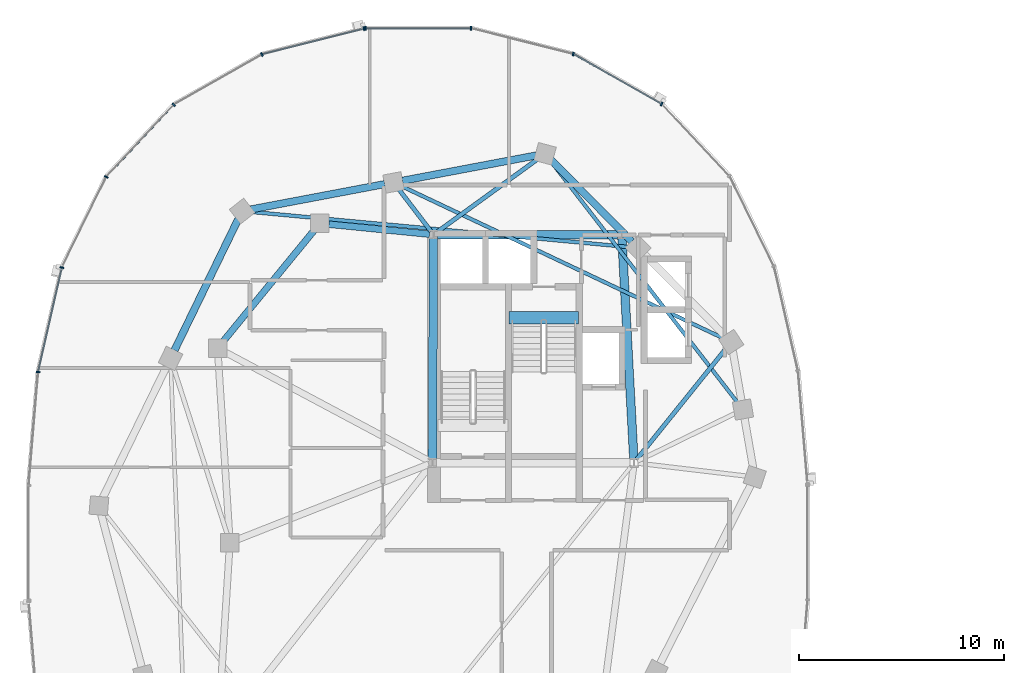
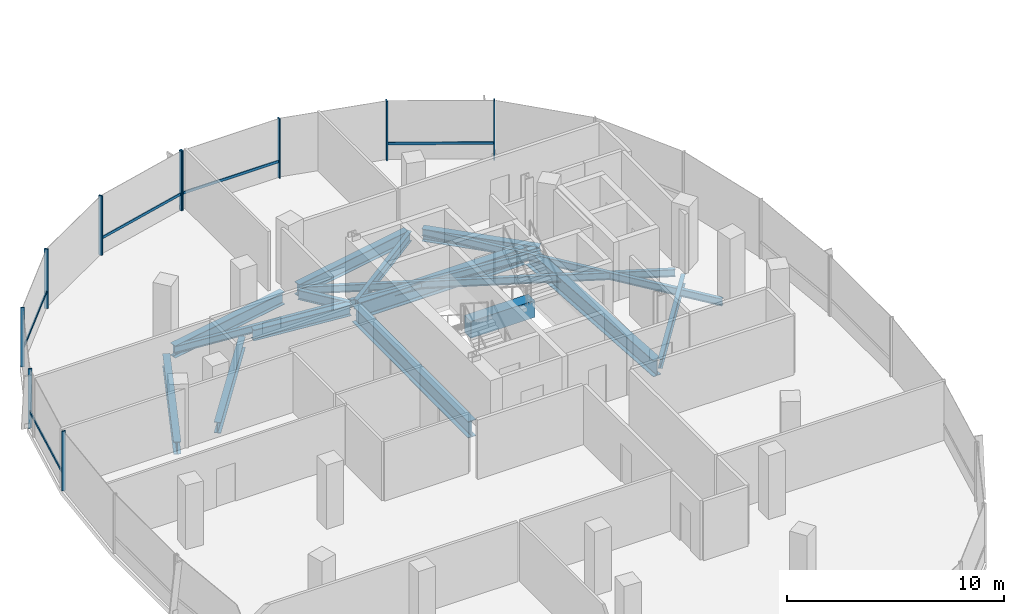
# One storey, part 6 of 25: 16 beams, 15 members, 2 elements without a shape of their own.
"""IFC4 building model written with IfcOpenShell, lengths in metres."""

from ifc_helpers import new_model, si_unit, direction, frame, origin, origin_2d, place, context, subcontext, project, spatial, rectangle, i_section, extrude, material, material_profile, profile_set, type_object, element, aggregate, save


model = new_model("IFC4")

# Units and contexts
model_context = context("Model", 3, precision=1e-05, world=origin(), true_north=direction((0.0, 1.0)))
body_context = subcontext(model_context, "Body", "Model", "MODEL_VIEW")
ifc_project = project(units=[si_unit("LENGTHUNIT", "METRE"), si_unit("AREAUNIT", "SQUARE_METRE"), si_unit("VOLUMEUNIT", "CUBIC_METRE"), si_unit("PLANEANGLEUNIT", "RADIAN"), si_unit("MASSUNIT", "GRAM", prefix="KILO"), si_unit("THERMODYNAMICTEMPERATUREUNIT", "KELVIN"), si_unit("POWERUNIT", "WATT")], contexts=[model_context])

# Site, building, storey
site_placement = place(None, origin())
site = spatial("IfcSite", under=ifc_project, at=site_placement, CompositionType="ELEMENT")
building_placement = place(site_placement, origin())
building = spatial("IfcBuilding", under=site, at=building_placement, Name="Cundina Bronze Exchange", CompositionType="ELEMENT")
storey_placement = place(building_placement, frame((0.0, 0.0, 202.60009765625)))
storey = spatial("IfcBuildingStorey", under=building, at=storey_placement, Name="L53", CompositionType="ELEMENT", Elevation=202.60009765625)

# Beams
ifc_material_1 = material(Name="Concrete C60/75", Category="concrete")
ifc_material_profile_1 = material_profile(ifc_material_1, rectangle(XDim=0.60009765625, YDim=0.949951171875, at=origin_2d()), Name="RC600X950", Category="concrete")
ifc_profile_set_1 = profile_set([ifc_material_profile_1], Name="Concrete C60/75")
beam_type_1 = type_object("IfcBeamType", Name="BM-COUP-RC950", PredefinedType="LINTEL", material=ifc_profile_set_1)
beam_1_placement = place(storey_placement, frame((-27.56005859375, 10.97998046875, -0.47509765625), z_axis=(1.0, 0.0, 0.0), x_axis=(0.0, 1.0, 0.0)))
element("IfcBeam", 1, at=beam_1_placement, inside=storey, type_object=beam_type_1, Name="L53 Stair W2 Landing Header Beam", PredefinedType="LINTEL", context=body_context, shape_type="SweptSolid", body=[
    extrude(rectangle(XDim=0.60009765625, YDim=0.949951171875, at=origin_2d()), origin(), (0.0, 0.0, 1.0), 3.400146484375),
])
ifc_material_2 = material(Name="Steel ASTM A992 Grade 50", Category="steel")
ifc_material_profile_2 = material_profile(ifc_material_2, i_section(OverallWidth=0.2119140625, OverallDepth=0.5439453125, WebThickness=0.01318359375, FlangeThickness=0.021240234375, FilletRadius=0.013916015625, at=origin_2d()), Name="W21X83", Category="steel")
ifc_profile_set_2 = profile_set([ifc_material_profile_2], Name="Steel ASTM A992 Grade 50")
beam_type_2 = type_object("IfcBeamType", Name="BM-FLR-W21A", PredefinedType="BEAM", material=ifc_profile_set_2)
beam_2_placement = place(storey_placement, frame((-21.3271484375, 4.052734375, -0.531982421875), z_axis=(0.627128630072, 0.778915708755, 0.0), x_axis=(-0.778915708755, 0.627128630072, 0.0)))
element("IfcBeam", 2, at=beam_2_placement, inside=storey, type_object=beam_type_2, Name="L53 Leg W Radial Floor Beam 02", PredefinedType="BEAM", context=body_context, shape_type="SweptSolid", body=[
    extrude(i_section(OverallWidth=0.2119140625, OverallDepth=0.5439453125, WebThickness=0.01318359375, FlangeThickness=0.021240234375, FilletRadius=0.013916015625, at=origin_2d()), origin(), (0.0, 0.0, 1.0), 6.9404296875),
])
beam_3_placement = place(storey_placement, frame((-31.09130859375, 15.1650390625, -0.531982421875), z_axis=(0.809709858543, 0.586830422677, 0.0), x_axis=(-0.586830422677, 0.809709858543, 0.0)))
element("IfcBeam", 3, at=beam_3_placement, inside=storey, type_object=beam_type_2, Name="L53 Leg W Radial Floor Beam 04", PredefinedType="BEAM", context=body_context, shape_type="SweptSolid", body=[
    extrude(i_section(OverallWidth=0.2119140625, OverallDepth=0.5439453125, WebThickness=0.01318359375, FlangeThickness=0.021240234375, FilletRadius=0.013916015625, at=origin_2d()), origin(), (0.0, 0.0, 1.0), 6.096923828125),
])
beam_4_placement = place(storey_placement, frame((-31.369140625, 15.205810546875, -0.531982421875), z_axis=(-0.60740437517, 0.794392802727, 0.0), x_axis=(-0.794392802727, -0.60740437517, 0.0)))
element("IfcBeam", 4, at=beam_4_placement, inside=storey, type_object=beam_type_2, Name="L53 Leg W Radial Floor Beam 05", PredefinedType="BEAM", context=body_context, shape_type="SweptSolid", body=[
    extrude(i_section(OverallWidth=0.2119140625, OverallDepth=0.5439453125, WebThickness=0.01318359375, FlangeThickness=0.021240234375, FilletRadius=0.013916015625, at=origin_2d()), origin(), (0.0, 0.0, 1.0), 2.575927734375),
])
ifc_material_profile_3 = material_profile(ifc_material_2, i_section(OverallWidth=0.178955078125, OverallDepth=0.409912109375, WebThickness=0.0087890625, FlangeThickness=0.014404296875, FilletRadius=0.010986328125, at=origin_2d()), Name="W16X45", Category="steel")
ifc_profile_set_3 = profile_set([ifc_material_profile_3], Name="Steel ASTM A992 Grade 50")
beam_type_3 = type_object("IfcBeamType", Name="BM-JST-W16", PredefinedType="JOIST", material=ifc_profile_set_3)
beam_5_placement = place(storey_placement, frame((-16.39306640625, 6.846435546875, -0.465087890625), z_axis=(-0.612085793291, 0.790791364174, 0.0), x_axis=(-0.790791364174, -0.612085793291, 0.0)))
element("IfcBeam", 5, at=beam_5_placement, inside=storey, type_object=beam_type_3, Name="L53 Leg W Lobe Floor Joist 01-04", PredefinedType="JOIST", context=body_context, shape_type="SweptSolid", body=[
    extrude(i_section(OverallWidth=0.178955078125, OverallDepth=0.409912109375, WebThickness=0.0087890625, FlangeThickness=0.014404296875, FilletRadius=0.010986328125, at=origin_2d()), origin(), (0.0, 0.0, 1.0), 14.9306640625),
])
beam_6_placement = place(storey_placement, frame((-17.095947265625, 9.9873046875, -0.465087890625), z_axis=(-0.904073747204, 0.427376484632, 0.0), x_axis=(-0.427376484632, -0.904073747204, 0.0)))
element("IfcBeam", 6, at=beam_6_placement, inside=storey, type_object=beam_type_3, Name="L53 Leg W Lobe Floor Joist 02-05", PredefinedType="JOIST", context=body_context, shape_type="SweptSolid", body=[
    extrude(i_section(OverallWidth=0.178955078125, OverallDepth=0.409912109375, WebThickness=0.0087890625, FlangeThickness=0.014404296875, FilletRadius=0.010986328125, at=origin_2d()), origin(), (0.0, 0.0, 1.0), 17.374755859375),
])
beam_7_placement = place(storey_placement, frame((-21.68603515625, 14.440673828125, -0.465087890625), z_axis=(-0.9957017803, 0.092617302415, 0.0), x_axis=(-0.092617302415, -0.9957017803, 0.0)))
element("IfcBeam", 7, at=beam_7_placement, inside=storey, type_object=beam_type_3, Name="L53 Leg W Lobe Floor Joist 03-06", PredefinedType="JOIST", context=body_context, shape_type="SweptSolid", body=[
    extrude(i_section(OverallWidth=0.178955078125, OverallDepth=0.409912109375, WebThickness=0.0087890625, FlangeThickness=0.014404296875, FilletRadius=0.010986328125, at=origin_2d()), origin(), (0.0, 0.0, 1.0), 18.5576171875),
])
ifc_material_profile_4 = material_profile(ifc_material_2, i_section(OverallWidth=0.324951171875, OverallDepth=0.615966796875, WebThickness=0.013916015625, FlangeThickness=0.021484375, FilletRadius=0.01611328125, at=origin_2d()), Name="W24X117", Category="steel")
ifc_profile_set_4 = profile_set([ifc_material_profile_4], Name="Steel ASTM A992 Grade 50")
beam_type_4 = type_object("IfcBeamType", Name="BM-RING-W24", PredefinedType="USERDEFINED", material=ifc_profile_set_4)
beam_8_placement = place(storey_placement, frame((-31.445068359375, 15.0693359375, -0.568115234375), z_axis=(-0.995123854478, 0.09863323096, 0.0), x_axis=(-0.09863323096, -0.995123854478, 0.0)))
element("IfcBeam", 8, at=beam_8_placement, inside=storey, type_object=beam_type_4, Name="L53 W Inner Structural Ring Girder 01", ObjectType="GIRDER", PredefinedType="USERDEFINED", context=body_context, shape_type="SweptSolid", body=[
    extrude(i_section(OverallWidth=0.324951171875, OverallDepth=0.615966796875, WebThickness=0.013916015625, FlangeThickness=0.021484375, FilletRadius=0.01611328125, at=origin_2d()), origin(), (0.0, 0.0, 1.0), 4.943115234375),
])
beam_9_placement = place(storey_placement, frame((-37.07763671875, 15.26123046875, -0.568115234375), z_axis=(-0.633912590175, -0.77340469873, 0.0), x_axis=(0.77340469873, -0.633912590175, 0.0)))
element("IfcBeam", 9, at=beam_9_placement, inside=storey, type_object=beam_type_4, Name="L53 W Inner Structural Ring Girder 02", ObjectType="GIRDER", PredefinedType="USERDEFINED", context=body_context, shape_type="SweptSolid", body=[
    extrude(i_section(OverallWidth=0.324951171875, OverallDepth=0.615966796875, WebThickness=0.013916015625, FlangeThickness=0.021484375, FilletRadius=0.01611328125, at=origin_2d()), origin(), (0.0, 0.0, 1.0), 7.01123046875),
])
ifc_material_profile_5 = material_profile(ifc_material_2, i_section(OverallWidth=0.35498046875, OverallDepth=0.695068359375, WebThickness=0.015380859375, FlangeThickness=0.02490234375, FilletRadius=0.01806640625, at=origin_2d()), Name="W27X146", Category="steel")
ifc_profile_set_5 = profile_set([ifc_material_profile_5], Name="Steel ASTM A992 Grade 50")
beam_type_5 = type_object("IfcBeamType", Name="BM-RING-W27", PredefinedType="USERDEFINED", material=ifc_profile_set_5)
beam_10_placement = place(storey_placement, frame((-21.55810546875, 14.71142578125, -0.607666015625), z_axis=(-0.703211928763, 0.710980297368, 0.0), x_axis=(-0.710980297368, -0.703211928763, 0.0)))
element("IfcBeam", 10, at=beam_10_placement, inside=storey, type_object=beam_type_5, Name="L53 W Perimeter Ring Girder 03", ObjectType="GIRDER", PredefinedType="USERDEFINED", context=body_context, shape_type="SweptSolid", body=[
    extrude(i_section(OverallWidth=0.35498046875, OverallDepth=0.695068359375, WebThickness=0.015380859375, FlangeThickness=0.02490234375, FilletRadius=0.01806640625, at=origin_2d()), origin(), (0.0, 0.0, 1.0), 5.593994140625),
])
beam_11_placement = place(storey_placement, frame((-26.23046875, 18.918701171875, -0.607666015625), z_axis=(-0.982565174657, -0.185918470175, 0.0), x_axis=(0.185918470175, -0.982565174657, 0.0)))
element("IfcBeam", 11, at=beam_11_placement, inside=storey, type_object=beam_type_5, Name="L53 W Perimeter Ring Girder 04", ObjectType="GIRDER", PredefinedType="USERDEFINED", context=body_context, shape_type="SweptSolid", body=[
    extrude(i_section(OverallWidth=0.35498046875, OverallDepth=0.695068359375, WebThickness=0.015380859375, FlangeThickness=0.02490234375, FilletRadius=0.01806640625, at=origin_2d()), origin(), (0.0, 0.0, 1.0), 6.655029296875),
])
beam_12_placement = place(storey_placement, frame((-33.63037109375, 17.5185546875, -0.607666015625), z_axis=(-0.982573143022, -0.185876353022, 0.0), x_axis=(0.185876353022, -0.982573143022, 0.0)))
element("IfcBeam", 12, at=beam_12_placement, inside=storey, type_object=beam_type_5, Name="L53 W Perimeter Ring Girder 05", ObjectType="GIRDER", PredefinedType="USERDEFINED", context=body_context, shape_type="SweptSolid", body=[
    extrude(i_section(OverallWidth=0.35498046875, OverallDepth=0.695068359375, WebThickness=0.015380859375, FlangeThickness=0.02490234375, FilletRadius=0.01806640625, at=origin_2d()), origin(), (0.0, 0.0, 1.0), 6.6552734375),
])
beam_13_placement = place(storey_placement, frame((-40.79150390625, 15.80615234375, -0.607666015625), z_axis=(-0.437173087764, -0.89937739094, 0.0), x_axis=(0.89937739094, -0.437173087764, 0.0)))
element("IfcBeam", 13, at=beam_13_placement, inside=storey, type_object=beam_type_5, Name="L53 W Perimeter Ring Girder 06", ObjectType="GIRDER", PredefinedType="USERDEFINED", context=body_context, shape_type="SweptSolid", body=[
    extrude(i_section(OverallWidth=0.35498046875, OverallDepth=0.695068359375, WebThickness=0.015380859375, FlangeThickness=0.02490234375, FilletRadius=0.01806640625, at=origin_2d()), origin(), (0.0, 0.0, 1.0), 7.1298828125),
])
ifc_material_profile_6 = material_profile(ifc_material_2, i_section(OverallWidth=0.41796875, OverallDepth=0.927001953125, WebThickness=0.019287109375, FlangeThickness=0.031982421875, FilletRadius=0.02392578125, at=origin_2d()), Name="W36X231", Category="steel")
ifc_profile_set_6 = profile_set([ifc_material_profile_6], Name="Steel ASTM A992 Grade 50")
beam_type_6 = type_object("IfcBeamType", Name="BM-WRN-W36B", PredefinedType="USERDEFINED", material=ifc_profile_set_6)
beam_14_placement = place(storey_placement, frame((-21.46044921875, 4.095703125, -0.7236328125), z_axis=(-0.053749317644, 0.998554460634, 0.0), x_axis=(-0.998554460634, -0.053749317644, 0.0)))
element("IfcBeam", 14, at=beam_14_placement, inside=storey, type_object=beam_type_6, Name="L53 W Core Perimeter Tie Girder 2", ObjectType="GIRDER", PredefinedType="USERDEFINED", context=body_context, shape_type="SweptSolid", body=[
    extrude(i_section(OverallWidth=0.41796875, OverallDepth=0.927001953125, WebThickness=0.019287109375, FlangeThickness=0.031982421875, FilletRadius=0.02392578125, at=origin_2d()), origin(), (0.0, 0.0, 1.0), 10.774169921875),
])
beam_15_placement = place(storey_placement, frame((-22.24609375, 15.050048828125, -0.7236328125), z_axis=(-1.0, 0.0, 0.0), x_axis=(0.0, -1.0, 0.0)))
element("IfcBeam", 15, at=beam_15_placement, inside=storey, type_object=beam_type_6, Name="L53 W Core Perimeter Tie Girder 3", ObjectType="GIRDER", PredefinedType="USERDEFINED", context=body_context, shape_type="SweptSolid", body=[
    extrude(i_section(OverallWidth=0.41796875, OverallDepth=0.927001953125, WebThickness=0.019287109375, FlangeThickness=0.031982421875, FilletRadius=0.02392578125, at=origin_2d()), origin(), (0.0, 0.0, 1.0), 8.807861328125),
])
beam_16_placement = place(storey_placement, frame((-31.2509765625, 14.85400390625, -0.7236328125), z_axis=(-0.004470623654, -0.999990006712, 0.0), x_axis=(0.999990006712, -0.004470623654, 0.0)))
element("IfcBeam", 16, at=beam_16_placement, inside=storey, type_object=beam_type_6, Name="L53 W Core Perimeter Tie Girder 4", ObjectType="GIRDER", PredefinedType="USERDEFINED", context=body_context, shape_type="SweptSolid", body=[
    extrude(i_section(OverallWidth=0.41796875, OverallDepth=0.927001953125, WebThickness=0.019287109375, FlangeThickness=0.031982421875, FilletRadius=0.02392578125, at=origin_2d()), origin(), (0.0, 0.0, 1.0), 10.758056640625),
])

# Curtain wall, members
ifc_material_3 = material(Name="Anodised Bronze Aluminium 6063-T6", Category="aluminium")
curtain_wall_type = type_object("IfcCurtainWallType", Name="CWS-UPP-OFF", PredefinedType="NOTDEFINED", material=ifc_material_3)
curtain_wall_1_placement = place(storey_placement, origin())
curtain_wall_1 = element("IfcCurtainWall", 17, at=curtain_wall_1_placement, inside=storey, type_object=curtain_wall_type, Name="L53 CW-05 Curtain Wall Run CWR-L53-W1", PredefinedType="NOTDEFINED")
ifc_material_profile_7 = material_profile(ifc_material_3, rectangle(XDim=0.070068359375, YDim=0.18994140625, at=origin_2d()), Name="AL70X190", Category="aluminium")
ifc_profile_set_7 = profile_set([ifc_material_profile_7], Name="Anodised Bronze Aluminium 6063-T6")
member_type_1 = type_object("IfcMemberType", Name="CWM-MUL-190", PredefinedType="MULLION", material=ifc_profile_set_7)
member_1_placement = place(storey_placement, frame((-20.100341796875, 21.43115234375, 0.0), z_axis=(0.0, 0.0, 1.0), x_axis=(-0.86958112538, 0.493790103568, 0.0)))
member_1 = element("IfcMember", 18, at=member_1_placement, type_object=member_type_1, Name="CW-05 Mullion 5", PredefinedType="MULLION", context=body_context, shape_type="SweptSolid", body=[
    extrude(rectangle(XDim=0.070068359375, YDim=0.18994140625, at=origin_2d()), origin(), (0.0, 0.0, 1.0), 3.33984375),
])
member_2_placement = place(storey_placement, frame((-24.422607421875, 23.87548828125, 0.0), z_axis=(0.0, 0.0, 1.0), x_axis=(-0.969744325821, 0.244122802168, 0.0)))
member_2 = element("IfcMember", 19, at=member_2_placement, type_object=member_type_1, Name="CW-05 Mullion 6", PredefinedType="MULLION", context=body_context, shape_type="SweptSolid", body=[
    extrude(rectangle(XDim=0.070068359375, YDim=0.18994140625, at=origin_2d()), origin(), (0.0, 0.0, 1.0), 3.33984375),
])
member_3_placement = place(storey_placement, frame((-29.419921875, 25.125, 0.0), z_axis=(0.0, 0.0, 1.0), x_axis=(-1.0, 0.0, 0.0)))
member_3 = element("IfcMember", 20, at=member_3_placement, type_object=member_type_1, Name="CW-05 Mullion 7", PredefinedType="MULLION", context=body_context, shape_type="SweptSolid", body=[
    extrude(rectangle(XDim=0.070068359375, YDim=0.18994140625, at=origin_2d()), origin(), (0.0, 0.0, 1.0), 3.33984375),
])
member_4_placement = place(storey_placement, frame((-34.580078125, 25.125, 0.0), z_axis=(0.0, 0.0, 1.0), x_axis=(-1.0, 0.0, 0.0)))
member_4 = element("IfcMember", 21, at=member_4_placement, type_object=member_type_1, Name="CW-05 End Mullion", PredefinedType="MULLION", context=body_context, shape_type="SweptSolid", body=[
    extrude(rectangle(XDim=0.070068359375, YDim=0.18994140625, at=origin_2d()), origin(), (0.0, 0.0, 1.0), 3.33984375),
])

curtain_wall_2_placement = place(storey_placement, origin())
curtain_wall_2 = element("IfcCurtainWall", 22, at=curtain_wall_2_placement, inside=storey, type_object=curtain_wall_type, Name="L53 CW-05 Curtain Wall Run CWR-L53-W2", PredefinedType="NOTDEFINED")
member_5_placement = place(storey_placement, frame((-34.6484375, 25.116455078125, 0.0), z_axis=(0.0, 0.0, 1.0), x_axis=(-0.969744325821, -0.244122802168, 0.0)))
member_5 = element("IfcMember", 23, at=member_5_placement, type_object=member_type_1, Name="CW-05 Mullion 1", PredefinedType="MULLION", context=body_context, shape_type="SweptSolid", body=[
    extrude(rectangle(XDim=0.070068359375, YDim=0.18994140625, at=origin_2d()), origin(), (0.0, 0.0, 1.0), 3.33984375),
])
member_6_placement = place(storey_placement, frame((-39.638916015625, 23.850830078125, 0.0), z_axis=(0.0, 0.0, 1.0), x_axis=(-0.86958112538, -0.493790103568, 0.0)))
member_6 = element("IfcMember", 24, at=member_6_placement, type_object=member_type_1, Name="CW-05 Mullion 2", PredefinedType="MULLION", context=body_context, shape_type="SweptSolid", body=[
    extrude(rectangle(XDim=0.070068359375, YDim=0.18994140625, at=origin_2d()), origin(), (0.0, 0.0, 1.0), 3.33984375),
])
member_7_placement = place(storey_placement, frame((-43.94873046875, 21.392578125, 0.0), z_axis=(0.0, 0.0, 1.0), x_axis=(-0.684292606175, -0.729207535023, 0.0)))
member_7 = element("IfcMember", 25, at=member_7_placement, type_object=member_type_1, Name="CW-05 Mullion 3", PredefinedType="MULLION", context=body_context, shape_type="SweptSolid", body=[
    extrude(rectangle(XDim=0.070068359375, YDim=0.18994140625, at=origin_2d()), origin(), (0.0, 0.0, 1.0), 3.33984375),
])
member_8_placement = place(storey_placement, frame((-47.245361328125, 17.866455078125, 0.0), z_axis=(0.0, 0.0, 1.0), x_axis=(-0.440566004113, -0.897720221461, 0.0)))
member_8 = element("IfcMember", 26, at=member_8_placement, type_object=member_type_1, Name="CW-05 Mullion 4", PredefinedType="MULLION", context=body_context, shape_type="SweptSolid", body=[
    extrude(rectangle(XDim=0.070068359375, YDim=0.18994140625, at=origin_2d()), origin(), (0.0, 0.0, 1.0), 3.33984375),
])
member_9_placement = place(storey_placement, frame((-49.40771484375, 13.440673828125, 0.0), z_axis=(0.0, 0.0, 1.0), x_axis=(-0.223250116011, -0.974761194191, 0.0)))
member_9 = element("IfcMember", 27, at=member_9_placement, type_object=member_type_1, Name="CW-05 Mullion 5", PredefinedType="MULLION", context=body_context, shape_type="SweptSolid", body=[
    extrude(rectangle(XDim=0.070068359375, YDim=0.18994140625, at=origin_2d()), origin(), (0.0, 0.0, 1.0), 3.33984375),
])
member_10_placement = place(storey_placement, frame((-50.572509765625, 8.33056640625, 0.0), z_axis=(0.0, 0.0, 1.0), x_axis=(-0.083677843332, -0.99649285925, 0.0)))
member_10 = element("IfcMember", 28, at=member_10_placement, type_object=member_type_1, Name="CW-05 Mullion 6", PredefinedType="MULLION", context=body_context, shape_type="SweptSolid", body=[
    extrude(rectangle(XDim=0.070068359375, YDim=0.18994140625, at=origin_2d()), origin(), (0.0, 0.0, 1.0), 3.33984375),
])

# Member
ifc_material_profile_8 = material_profile(ifc_material_3, rectangle(XDim=0.06494140625, YDim=0.14990234375, at=origin_2d()), Name="AL65X150", Category="aluminium")
ifc_profile_set_8 = profile_set([ifc_material_profile_8], Name="Anodised Bronze Aluminium 6063-T6")
member_type_2 = type_object("IfcMemberType", Name="CWM-TRN-150", PredefinedType="USERDEFINED", material=ifc_profile_set_8)
member_11_placement = place(storey_placement, frame((-20.1337890625, 21.4501953125, 0.919921875), z_axis=(-0.869573748083, 0.493803095013, 0.0), x_axis=(-0.493803095013, -0.869573748083, 0.0)))
member_11 = element("IfcMember", 29, at=member_11_placement, type_object=member_type_2, Name="CW-05 Spandrel Transom 5", ObjectType="TRANSOM", PredefinedType="USERDEFINED", context=body_context, shape_type="SweptSolid", body=[
    extrude(rectangle(XDim=0.06494140625, YDim=0.14990234375, at=origin_2d()), origin(), (0.0, 0.0, 1.0), 4.900146484375),
])

member_12_placement = place(storey_placement, frame((-29.45849609375, 25.125, 0.919921875), z_axis=(-1.0, 0.0, 0.0), x_axis=(0.0, -1.0, 0.0)))
member_12 = element("IfcMember", 30, at=member_12_placement, type_object=member_type_2, Name="CW-05 Spandrel Transom 7", ObjectType="TRANSOM", PredefinedType="USERDEFINED", context=body_context, shape_type="SweptSolid", body=[
    extrude(rectangle(XDim=0.06494140625, YDim=0.14990234375, at=origin_2d()), origin(), (0.0, 0.0, 1.0), 5.0830078125),
])

aggregate(curtain_wall_1, [member_1, member_11, member_2, member_3, member_4, member_12])

member_13_placement = place(storey_placement, frame((-34.685791015625, 25.107177734375, 0.919921875), z_axis=(-0.969725738797, -0.244196624699, 0.0), x_axis=(0.244196624699, -0.969725738797, 0.0)))
member_13 = element("IfcMember", 31, at=member_13_placement, type_object=member_type_2, Name="CW-05 Spandrel Transom 1", ObjectType="TRANSOM", PredefinedType="USERDEFINED", context=body_context, shape_type="SweptSolid", body=[
    extrude(rectangle(XDim=0.06494140625, YDim=0.14990234375, at=origin_2d()), origin(), (0.0, 0.0, 1.0), 5.082763671875),
])

member_14_placement = place(storey_placement, frame((-43.97509765625, 21.364501953125, 0.919921875), z_axis=(-0.684336416554, -0.729166420633, 0.0), x_axis=(0.729166420633, -0.684336416554, 0.0)))
member_14 = element("IfcMember", 32, at=member_14_placement, type_object=member_type_2, Name="CW-05 Spandrel Transom 3", ObjectType="TRANSOM", PredefinedType="USERDEFINED", context=body_context, shape_type="SweptSolid", body=[
    extrude(rectangle(XDim=0.06494140625, YDim=0.14990234375, at=origin_2d()), origin(), (0.0, 0.0, 1.0), 4.76513671875),
])

member_15_placement = place(storey_placement, frame((-49.41650390625, 13.403076171875, 0.919921875), z_axis=(-0.22328343579, -0.974753562344, 0.0), x_axis=(0.974753562344, -0.22328343579, 0.0)))
member_15 = element("IfcMember", 33, at=member_15_placement, type_object=member_type_2, Name="CW-05 Spandrel Transom 5", ObjectType="TRANSOM", PredefinedType="USERDEFINED", context=body_context, shape_type="SweptSolid", body=[
    extrude(rectangle(XDim=0.06494140625, YDim=0.14990234375, at=origin_2d()), origin(), (0.0, 0.0, 1.0), 5.159912109375),
])

aggregate(curtain_wall_2, [member_5, member_13, member_6, member_7, member_14, member_8, member_9, member_15, member_10])

save(model, "model.ifc")
